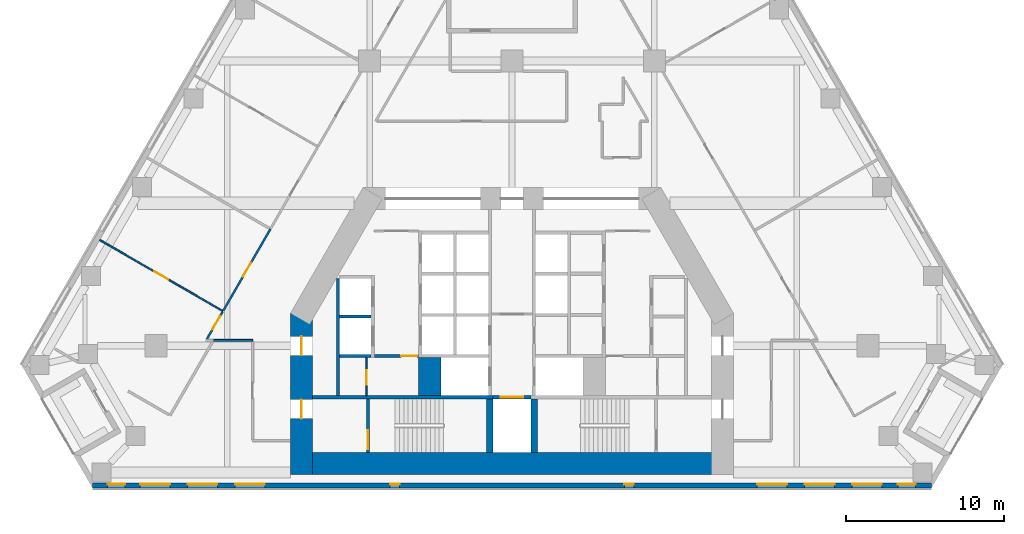
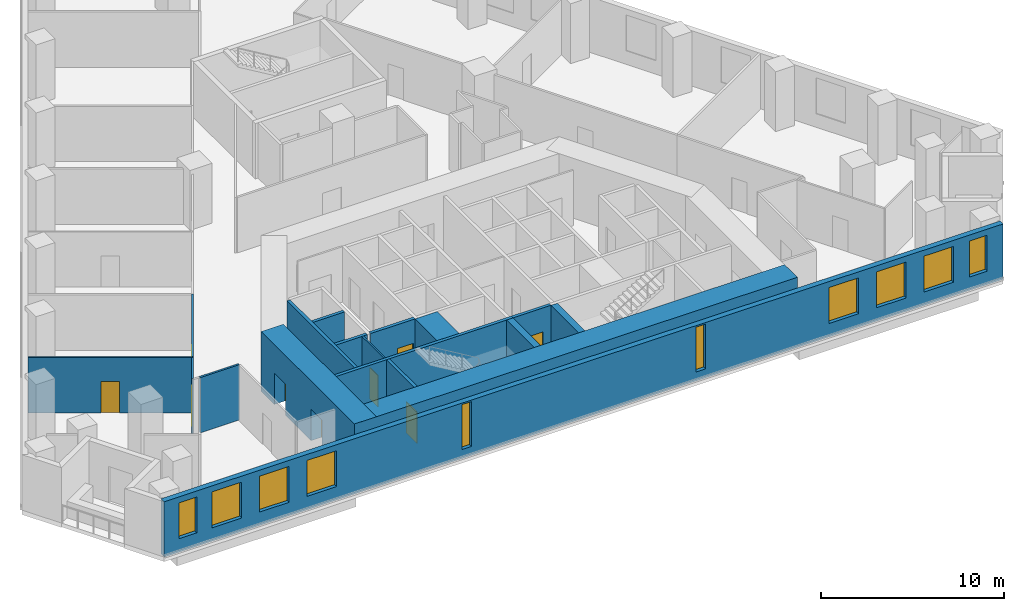
# One storey, part 3 of 9: 18 walls, 10 windows, 9 doors, 19 openings.
"""IFC4 building model written with IfcOpenShell, lengths in metres."""

from ifc_helpers import new_model, si_unit, direction, frame, frame_2d, origin, place, context, subcontext, project, spatial, rectangle, extrude, material, layer, layer_set, type_object, element, fill, save


model = new_model("IFC4")

# Units and contexts
model_context = context("Model", 3, precision=1e-05, world=origin(), true_north=direction((0.0, 1.0)))
body_context = subcontext(model_context, "Body", "Model", "MODEL_VIEW")
ifc_project = project(units=[si_unit("LENGTHUNIT", "METRE"), si_unit("AREAUNIT", "SQUARE_METRE"), si_unit("VOLUMEUNIT", "CUBIC_METRE"), si_unit("PLANEANGLEUNIT", "RADIAN"), si_unit("MASSUNIT", "GRAM", prefix="KILO")], contexts=[model_context])

# Site, building, storey
site_placement = place(None, origin())
site = spatial("IfcSite", under=ifc_project, at=site_placement, CompositionType="ELEMENT")
building_placement = place(site_placement, origin())
building = spatial("IfcBuilding", under=site, at=building_placement, Name="Fogline Exchange Tower", CompositionType="ELEMENT")
storey_placement = place(building_placement, frame((0.0, 0.0, 84.89990234375)))
storey = spatial("IfcBuildingStorey", under=building, at=storey_placement, Name="L18", CompositionType="ELEMENT", Elevation=84.89990234375)

# Wall, opening, door
ifc_material_1 = material(Name="Blockwork partition", Category="masonry")
ifc_layer_1 = layer(ifc_material_1, 0.10009765625)
ifc_layer_set_1 = layer_set([ifc_layer_1], Name="CW10")
wall_type_1 = type_object("IfcWallType", Name="CW10", PredefinedType="PARTITIONING", material=ifc_layer_set_1)
wall_1_placement = place(storey_placement, frame((-9.199951171875, 5.85009765625, 0.0), z_axis=(0.0, 0.0, 1.0), x_axis=(0.0, 1.0, 0.0)))
wall_1 = element("IfcWall", 1, at=wall_1_placement, inside=storey, type_object=wall_type_1, Name="WC partition", PredefinedType="PARTITIONING", context=body_context, shape_type="SweptSolid", body=[
    extrude(rectangle(XDim=2.39990234375, YDim=0.10009765625, at=frame_2d((1.199951171875, 0.0))), origin(), (0.0, 0.0, 1.0), 3.7001953125),
])
opening_1_placement = place(wall_1_placement, frame((0.699951171875, 0.0, 0.0)))
opening_1 = element("IfcOpeningElement", 2, at=opening_1_placement, cuts=wall_1, Name="Opening T05-C009", PredefinedType="OPENING", context=body_context, shape_type="SweptSolid", body=[
    extrude(rectangle(XDim=0.89990234375, YDim=2.10009765625, at=frame_2d((0.449951171875, 1.050048828125))), frame((0.0, 0.06005859375, 0.0), z_axis=(0.0, -1.0, 0.0), x_axis=(1.0, 0.0, 0.0)), (0.0, 0.0, 1.0), 0.1201171875),
])
ifc_material_2 = material(Name="Steel and timber fire door", Category="steel")
door_type_1 = type_object("IfcDoorType", Name="D-CS1", OperationType="SINGLE_SWING_RIGHT", PredefinedType="DOOR", material=ifc_material_2)
door_1_placement = place(opening_1_placement, origin())
door_1 = element("IfcDoor", 3, at=door_1_placement, inside=storey, type_object=door_type_1, Name="Door to Cleaner's Store", OperationType="SINGLE_SWING_LEFT", OverallHeight=2.10009765625, OverallWidth=0.89990234375, PredefinedType="DOOR", context=body_context, shape_type="SweptSolid", body=[
    extrude(rectangle(XDim=0.89990234375, YDim=2.10009765625, at=frame_2d((0.449951171875, 1.050048828125))), frame((0.0, 0.02490234375, 0.0), z_axis=(0.0, -1.0, 0.0), x_axis=(1.0, 0.0, 0.0)), (0.0, 0.0, 1.0), 0.050048828125),
])
fill(opening_1, door_1)

# Walls
ifc_material_3 = material(Name="Concrete C60", Category="concrete")
ifc_layer_2 = layer(ifc_material_3, 1.39990234375)
ifc_layer_set_2 = layer_set([ifc_layer_2], Name="CW140")
wall_type_2 = type_object("IfcWallType", Name="CW140", PredefinedType="SOLIDWALL", material=ifc_layer_set_2)
wall_2_placement = place(storey_placement, frame((-5.199951171875, 5.85009765625, -0.2998046875), z_axis=(0.0, 0.0, 1.0), x_axis=(0.0, 1.0, 0.0)))
element("IfcWall", 4, at=wall_2_placement, inside=storey, type_object=wall_type_2, Name="Lift shaft block wall", PredefinedType="SOLIDWALL", context=body_context, shape_type="SweptSolid", body=[
    extrude(rectangle(XDim=2.39990234375, YDim=1.39990234375, at=frame_2d((1.199951171875, 0.0))), origin(), (0.0, 0.0, 1.0), 4.0),
])
ifc_material_4 = material(Name="Concrete C40", Category="concrete")
ifc_layer_3 = layer(ifc_material_4, 0.199951171875)
ifc_layer_set_3 = layer_set([ifc_layer_3], Name="CW20")
wall_type_3 = type_object("IfcWallType", Name="CW20", PredefinedType="SOLIDWALL", material=ifc_layer_set_3)
wall_3_placement = place(storey_placement, frame((-11.0, 5.85009765625, 0.0), z_axis=(0.0, 0.0, 1.0), x_axis=(0.0, 1.0, 0.0)))
element("IfcWall", 5, at=wall_3_placement, inside=storey, type_object=wall_type_3, Name="Service room wall", PredefinedType="SOLIDWALL", context=body_context, shape_type="SweptSolid", body=[
    extrude(rectangle(XDim=7.39990234375, YDim=0.199951171875, at=frame_2d((3.699951171875, 0.0))), origin(), (0.0, 0.0, 1.0), 3.7001953125),
])

# Wall, opening, door
wall_4_placement = place(storey_placement, frame((-8.699951171875, 8.35009765625, 0.0), z_axis=(0.0, 0.0, 1.0), x_axis=(1.0, 0.0, 0.0)))
wall_4 = element("IfcWall", 6, at=wall_4_placement, inside=storey, type_object=wall_type_3, Name="WC wall", PredefinedType="SOLIDWALL", context=body_context, shape_type="SweptSolid", body=[
    extrude(rectangle(XDim=2.800048828125, YDim=0.199951171875, at=frame_2d((1.39990234375, 0.0))), origin(), (0.0, 0.0, 1.0), 3.7001953125),
])
opening_2_placement = place(wall_4_placement, frame((1.699951171875, 0.0, 0.0)))
opening_2 = element("IfcOpeningElement", 7, at=opening_2_placement, cuts=wall_4, Name="Opening T05-C008", PredefinedType="OPENING", context=body_context, shape_type="SweptSolid", body=[
    extrude(rectangle(XDim=1.0, YDim=2.10009765625, at=frame_2d((0.5, 1.050048828125))), frame((0.0, 0.10986328125, 0.0), z_axis=(0.0, -1.0, 0.0), x_axis=(1.0, 0.0, 0.0)), (0.0, 0.0, 1.0), 0.219970703125),
])
door_type_2 = type_object("IfcDoorType", Name="D-WC1", OperationType="SINGLE_SWING_LEFT", PredefinedType="DOOR", material=ifc_material_2)
door_2_placement = place(opening_2_placement, frame((1.0, 0.0, 0.0), z_axis=(0.0, 0.0, 1.0), x_axis=(-1.0, 0.0, 0.0)))
door_2 = element("IfcDoor", 8, at=door_2_placement, inside=storey, type_object=door_type_2, Name="Door to Men's WC", OperationType="SINGLE_SWING_LEFT", OverallHeight=2.10009765625, OverallWidth=1.0, PredefinedType="DOOR", context=body_context, shape_type="SweptSolid", body=[
    extrude(rectangle(XDim=1.0, YDim=2.10009765625, at=frame_2d((0.5, 1.050048828125))), frame((0.0, 0.02490234375, 0.0), z_axis=(0.0, -1.0, 0.0), x_axis=(1.0, 0.0, 0.0)), (0.0, 0.0, 1.0), 0.050048828125),
])
fill(opening_2, door_2)

# Wall
ifc_layer_4 = layer(ifc_material_4, 0.199951171875)
ifc_layer_set_4 = layer_set([ifc_layer_4], Name="CW20R")
wall_type_4 = type_object("IfcWallType", Name="CW20R", PredefinedType="SOLIDWALL", material=ifc_layer_set_4)
wall_5_placement = place(storey_placement, frame((-12.60009765625, 5.75, -0.2998046875), z_axis=(0.0, 0.0, 1.0), x_axis=(1.0, 0.0, 0.0)))
element("IfcWall", 9, at=wall_5_placement, inside=storey, type_object=wall_type_4, Name="Stair enclosure wall", PredefinedType="SOLIDWALL", context=body_context, shape_type="SweptSolid", body=[
    extrude(rectangle(XDim=11.400146484375, YDim=0.199951171875, at=frame_2d((5.7001953125, 0.0))), origin(), (0.0, 0.0, 1.0), 4.0),
])

# Wall, opening, door
wall_6_placement = place(storey_placement, frame((-1.199951171875, 5.75, -0.2998046875), z_axis=(0.0, 0.0, 1.0), x_axis=(1.0, 0.0, 0.0)))
wall_6 = element("IfcWall", 10, at=wall_6_placement, inside=storey, type_object=wall_type_4, Name="Stair enclosure wall", PredefinedType="SOLIDWALL", context=body_context, shape_type="SweptSolid", body=[
    extrude(rectangle(XDim=2.39990234375, YDim=0.199951171875, at=frame_2d((1.199951171875, 0.0))), origin(), (0.0, 0.0, 1.0), 4.0),
])
opening_3_placement = place(wall_6_placement, frame((0.5, 0.0, 0.300048828125)))
opening_3 = element("IfcOpeningElement", 11, at=opening_3_placement, cuts=wall_6, Name="Opening T05-LD09", PredefinedType="OPENING", context=body_context, shape_type="SweptSolid", body=[
    extrude(rectangle(XDim=1.39990234375, YDim=2.10009765625, at=frame_2d((0.699951171875, 1.050048828125))), frame((0.0, 0.10986328125, 0.0), z_axis=(0.0, -1.0, 0.0), x_axis=(1.0, 0.0, 0.0)), (0.0, 0.0, 1.0), 0.219970703125),
])
door_type_3 = type_object("IfcDoorType", Name="LD3", OperationType="SLIDING_TO_LEFT", PredefinedType="DOOR", material=ifc_material_2)
door_3_placement = place(opening_3_placement, origin())
door_3 = element("IfcDoor", 12, at=door_3_placement, inside=storey, type_object=door_type_3, Name="Landing door GL1", OperationType="SLIDING_TO_LEFT", OverallHeight=2.10009765625, OverallWidth=1.39990234375, PredefinedType="DOOR", context=body_context, shape_type="SweptSolid", body=[
    extrude(rectangle(XDim=1.39990234375, YDim=2.10009765625, at=frame_2d((0.699951171875, 1.050048828125))), frame((0.0, 0.02490234375, 0.0), z_axis=(0.0, -1.0, 0.0), x_axis=(1.0, 0.0, 0.0)), (0.0, 0.0, 1.0), 0.050048828125),
])
fill(opening_3, door_3)

wall_7_placement = place(storey_placement, frame((-9.10009765625, 2.25, -0.2998046875), z_axis=(0.0, 0.0, 1.0), x_axis=(0.0, 1.0, 0.0)))
wall_7 = element("IfcWall", 13, at=wall_7_placement, inside=storey, type_object=wall_type_4, Name="Stair enclosure wall", PredefinedType="SOLIDWALL", context=body_context, shape_type="SweptSolid", body=[
    extrude(rectangle(XDim=3.39990234375, YDim=0.199951171875, at=frame_2d((1.699951171875, 0.0))), origin(), (0.0, 0.0, 1.0), 4.0),
])
opening_4_placement = place(wall_7_placement, frame((0.199951171875, 0.0, 0.300048828125)))
opening_4 = element("IfcOpeningElement", 14, at=opening_4_placement, cuts=wall_7, Name="Opening T05-C011", PredefinedType="OPENING", context=body_context, shape_type="SweptSolid", body=[
    extrude(rectangle(XDim=1.199951171875, YDim=2.10009765625, at=frame_2d((0.60009765625, 1.050048828125))), frame((0.0, 0.10986328125, 0.0), z_axis=(0.0, -1.0, 0.0), x_axis=(1.0, 0.0, 0.0)), (0.0, 0.0, 1.0), 0.219970703125),
])
door_type_4 = type_object("IfcDoorType", Name="D-ST1", OperationType="SINGLE_SWING_LEFT", PredefinedType="DOOR", material=ifc_material_2)
door_4_placement = place(opening_4_placement, frame((1.199951171875, 0.0, 0.0), z_axis=(0.0, 0.0, 1.0), x_axis=(-1.0, 0.0, 0.0)))
door_4 = element("IfcDoor", 15, at=door_4_placement, inside=storey, type_object=door_type_4, Name="Stair door ST1", OperationType="SINGLE_SWING_RIGHT", OverallHeight=2.10009765625, OverallWidth=1.199951171875, PredefinedType="DOOR", context=body_context, shape_type="SweptSolid", body=[
    extrude(rectangle(XDim=1.199951171875, YDim=2.10009765625, at=frame_2d((0.60009765625, 1.050048828125))), frame((0.0, 0.02490234375, 0.0), z_axis=(0.0, -1.0, 0.0), x_axis=(1.0, 0.0, 0.0)), (0.0, 0.0, 1.0), 0.050048828125),
])
fill(opening_4, door_4)

# Walls
ifc_layer_5 = layer(ifc_material_4, 0.199951171875)
ifc_layer_set_5 = layer_set([ifc_layer_5], Name="CW20S")
wall_type_5 = type_object("IfcWallType", Name="CW20S", PredefinedType="SOLIDWALL", material=ifc_layer_set_5)
for number, where, z_axis, x_axis, name in (
    (16, (-10.89990234375, 8.35009765625, -0.2998046875), (0.0, 0.0, 1.0), (1.0, 0.0, 0.0), "Lift shaft wall"),
    (17, (-10.89990234375, 10.85009765625, -0.2998046875), (0.0, 0.0, 1.0), (1.0, 0.0, 0.0), "Lift shaft wall"),
):
    element("IfcWall", number, at=place(storey_placement, frame(where, z_axis=z_axis, x_axis=x_axis)), inside=storey, type_object=wall_type_5, Name=name, PredefinedType="SOLIDWALL", context=body_context, shape_type="SweptSolid", body=[
        extrude(rectangle(XDim=2.0, YDim=0.199951171875, at=frame_2d((1.0, 0.0))), origin(), (0.0, 0.0, 1.0), 4.0),
    ])
ifc_layer_6 = layer(ifc_material_4, 0.39990234375)
ifc_layer_set_6 = layer_set([ifc_layer_6], Name="CW40R")
wall_type_6 = type_object("IfcWallType", Name="CW40R", PredefinedType="SOLIDWALL", material=ifc_layer_set_6)
for number, where, z_axis, x_axis, name in (
    (18, (-1.39990234375, 2.25, -0.2998046875), (0.0, 0.0, 1.0), (0.0, 1.0, 0.0), "Stair and lift shaft wall"),
    (19, (1.39990234375, 2.25, -0.2998046875), (0.0, 0.0, 1.0), (0.0, 1.0, 0.0), "Stair and lift shaft wall"),
):
    element("IfcWall", number, at=place(storey_placement, frame(where, z_axis=z_axis, x_axis=x_axis)), inside=storey, type_object=wall_type_6, Name=name, PredefinedType="SOLIDWALL", context=body_context, shape_type="SweptSolid", body=[
        extrude(rectangle(XDim=3.39990234375, YDim=0.39990234375, at=frame_2d((1.699951171875, 0.0))), origin(), (0.0, 0.0, 1.0), 4.0),
    ])

# Wall, openings, windows
ifc_material_5 = material(Name="Brick masonry", Category="masonry")
ifc_layer_7 = layer(ifc_material_5, 0.340087890625)
ifc_layer_set_7 = layer_set([ifc_layer_7], Name="FW1")
wall_type_7 = type_object("IfcWallType", Name="FW1", PredefinedType="SOLIDWALL", material=ifc_layer_set_7)
wall_8_placement = place(storey_placement, frame((-26.510498046875, 0.169921875, 0.0), z_axis=(0.0, 0.0, 1.0), x_axis=(1.0, 0.0, 0.0)))
wall_8 = element("IfcWall", 20, at=wall_8_placement, inside=storey, type_object=wall_type_7, Name="Brick wall L18 S", PredefinedType="SOLIDWALL", context=body_context, shape_type="SweptSolid", body=[
    extrude(rectangle(XDim=53.02099609375, YDim=0.340087890625, at=frame_2d((26.510498046875, 0.0))), origin(), (0.0, 0.0, 1.0), 3.7001953125),
])
opening_5_placement = place(wall_8_placement, frame((3.010498046875, 0.0, 0.89990234375)))
opening_5 = element("IfcOpeningElement", 21, at=opening_5_placement, cuts=wall_8, Name="Opening W1", PredefinedType="OPENING", context=body_context, shape_type="SweptSolid", body=[
    extrude(rectangle(XDim=1.885009765625, YDim=2.39990234375, at=frame_2d((0.9423828125, 1.199951171875))), frame((0.0, 0.18017578125, 0.0), z_axis=(0.0, -1.0, 0.0), x_axis=(1.0, 0.0, 0.0)), (0.0, 0.0, 1.0), 0.360107421875),
])
opening_6_placement = place(wall_8_placement, frame((6.010498046875, 0.0, 0.89990234375)))
opening_6 = element("IfcOpeningElement", 22, at=opening_6_placement, cuts=wall_8, Name="Opening W1", PredefinedType="OPENING", context=body_context, shape_type="SweptSolid", body=[
    extrude(rectangle(XDim=1.885009765625, YDim=2.39990234375, at=frame_2d((0.9423828125, 1.199951171875))), frame((0.0, 0.18017578125, 0.0), z_axis=(0.0, -1.0, 0.0), x_axis=(1.0, 0.0, 0.0)), (0.0, 0.0, 1.0), 0.360107421875),
])
opening_7_placement = place(wall_8_placement, frame((9.010498046875, 0.0, 0.89990234375)))
opening_7 = element("IfcOpeningElement", 23, at=opening_7_placement, cuts=wall_8, Name="Opening W1", PredefinedType="OPENING", context=body_context, shape_type="SweptSolid", body=[
    extrude(rectangle(XDim=1.885009765625, YDim=2.39990234375, at=frame_2d((0.9423828125, 1.199951171875))), frame((0.0, 0.18017578125, 0.0), z_axis=(0.0, -1.0, 0.0), x_axis=(1.0, 0.0, 0.0)), (0.0, 0.0, 1.0), 0.360107421875),
])
opening_8_placement = place(wall_8_placement, frame((42.010498046875, 0.0, 0.89990234375)))
opening_8 = element("IfcOpeningElement", 24, at=opening_8_placement, cuts=wall_8, Name="Opening W1", PredefinedType="OPENING", context=body_context, shape_type="SweptSolid", body=[
    extrude(rectangle(XDim=1.885009765625, YDim=2.39990234375, at=frame_2d((0.9423828125, 1.199951171875))), frame((0.0, 0.18017578125, 0.0), z_axis=(0.0, -1.0, 0.0), x_axis=(1.0, 0.0, 0.0)), (0.0, 0.0, 1.0), 0.360107421875),
])
opening_9_placement = place(wall_8_placement, frame((45.010498046875, 0.0, 0.89990234375)))
opening_9 = element("IfcOpeningElement", 25, at=opening_9_placement, cuts=wall_8, Name="Opening W1", PredefinedType="OPENING", context=body_context, shape_type="SweptSolid", body=[
    extrude(rectangle(XDim=1.885009765625, YDim=2.39990234375, at=frame_2d((0.9423828125, 1.199951171875))), frame((0.0, 0.18017578125, 0.0), z_axis=(0.0, -1.0, 0.0), x_axis=(1.0, 0.0, 0.0)), (0.0, 0.0, 1.0), 0.360107421875),
])
opening_10_placement = place(wall_8_placement, frame((48.010498046875, 0.0, 0.89990234375)))
opening_10 = element("IfcOpeningElement", 26, at=opening_10_placement, cuts=wall_8, Name="Opening W1", PredefinedType="OPENING", context=body_context, shape_type="SweptSolid", body=[
    extrude(rectangle(XDim=1.885009765625, YDim=2.39990234375, at=frame_2d((0.9423828125, 1.199951171875))), frame((0.0, 0.18017578125, 0.0), z_axis=(0.0, -1.0, 0.0), x_axis=(1.0, 0.0, 0.0)), (0.0, 0.0, 1.0), 0.360107421875),
])
opening_11_placement = place(wall_8_placement, frame((0.94775390625, 0.0, 0.89990234375)))
opening_11 = element("IfcOpeningElement", 27, at=opening_11_placement, cuts=wall_8, Name="Opening W4", PredefinedType="OPENING", context=body_context, shape_type="SweptSolid", body=[
    extrude(rectangle(XDim=1.114990234375, YDim=2.39990234375, at=frame_2d((0.5576171875, 1.199951171875))), frame((0.0, 0.18017578125, 0.0), z_axis=(0.0, -1.0, 0.0), x_axis=(1.0, 0.0, 0.0)), (0.0, 0.0, 1.0), 0.360107421875),
])
opening_12_placement = place(wall_8_placement, frame((50.900634765625, 0.0, 0.89990234375)))
opening_12 = element("IfcOpeningElement", 28, at=opening_12_placement, cuts=wall_8, Name="Opening W4", PredefinedType="OPENING", context=body_context, shape_type="SweptSolid", body=[
    extrude(rectangle(XDim=1.114990234375, YDim=2.39990234375, at=frame_2d((0.5576171875, 1.199951171875))), frame((0.0, 0.18017578125, 0.0), z_axis=(0.0, -1.0, 0.0), x_axis=(1.0, 0.0, 0.0)), (0.0, 0.0, 1.0), 0.360107421875),
])
opening_13_placement = place(wall_8_placement, frame((18.810546875, 0.0, 0.60009765625)))
opening_13 = element("IfcOpeningElement", 29, at=opening_13_placement, cuts=wall_8, Name="Opening W5", PredefinedType="OPENING", context=body_context, shape_type="SweptSolid", body=[
    extrude(rectangle(XDim=0.60009765625, YDim=3.0, at=frame_2d((0.300048828125, 1.5))), frame((0.0, 0.18017578125, 0.0), z_axis=(0.0, -1.0, 0.0), x_axis=(1.0, 0.0, 0.0)), (0.0, 0.0, 1.0), 0.360107421875),
])
opening_14_placement = place(wall_8_placement, frame((33.6103515625, 0.0, 0.60009765625)))
opening_14 = element("IfcOpeningElement", 30, at=opening_14_placement, cuts=wall_8, Name="Opening W5", PredefinedType="OPENING", context=body_context, shape_type="SweptSolid", body=[
    extrude(rectangle(XDim=0.60009765625, YDim=3.0, at=frame_2d((0.300048828125, 1.5))), frame((0.0, 0.18017578125, 0.0), z_axis=(0.0, -1.0, 0.0), x_axis=(1.0, 0.0, 0.0)), (0.0, 0.0, 1.0), 0.360107421875),
])
ifc_material_6 = material(Name="Aluminium and glass", Category="aluminium")
window_type_1 = type_object("IfcWindowType", Name="W1", PartitioningType="SINGLE_PANEL", PredefinedType="WINDOW", material=ifc_material_6)
window_1_placement = place(opening_5_placement, origin())
window_1 = element("IfcWindow", 31, at=window_1_placement, inside=storey, type_object=window_type_1, Name="W1 W1", OverallHeight=2.39990234375, OverallWidth=1.885009765625, PartitioningType="SINGLE_PANEL", PredefinedType="WINDOW", context=body_context, shape_type="SweptSolid", body=[
    extrude(rectangle(XDim=1.885009765625, YDim=2.39990234375, at=frame_2d((0.9423828125, 1.199951171875))), frame((0.0, 0.110107421875, 0.0), z_axis=(0.0, -1.0, 0.0), x_axis=(1.0, 0.0, 0.0)), (0.0, 0.0, 1.0), 0.06005859375),
])
fill(opening_5, window_1)
window_2_placement = place(opening_6_placement, origin())
window_2 = element("IfcWindow", 32, at=window_2_placement, inside=storey, type_object=window_type_1, Name="W1 W1", OverallHeight=2.39990234375, OverallWidth=1.885009765625, PartitioningType="SINGLE_PANEL", PredefinedType="WINDOW", context=body_context, shape_type="SweptSolid", body=[
    extrude(rectangle(XDim=1.885009765625, YDim=2.39990234375, at=frame_2d((0.9423828125, 1.199951171875))), frame((0.0, 0.110107421875, 0.0), z_axis=(0.0, -1.0, 0.0), x_axis=(1.0, 0.0, 0.0)), (0.0, 0.0, 1.0), 0.06005859375),
])
fill(opening_6, window_2)
window_3_placement = place(opening_7_placement, origin())
window_3 = element("IfcWindow", 33, at=window_3_placement, inside=storey, type_object=window_type_1, Name="W1 W1", OverallHeight=2.39990234375, OverallWidth=1.885009765625, PartitioningType="SINGLE_PANEL", PredefinedType="WINDOW", context=body_context, shape_type="SweptSolid", body=[
    extrude(rectangle(XDim=1.885009765625, YDim=2.39990234375, at=frame_2d((0.9423828125, 1.199951171875))), frame((0.0, 0.110107421875, 0.0), z_axis=(0.0, -1.0, 0.0), x_axis=(1.0, 0.0, 0.0)), (0.0, 0.0, 1.0), 0.06005859375),
])
fill(opening_7, window_3)
window_4_placement = place(opening_8_placement, origin())
window_4 = element("IfcWindow", 34, at=window_4_placement, inside=storey, type_object=window_type_1, Name="W1 W1", OverallHeight=2.39990234375, OverallWidth=1.885009765625, PartitioningType="SINGLE_PANEL", PredefinedType="WINDOW", context=body_context, shape_type="SweptSolid", body=[
    extrude(rectangle(XDim=1.885009765625, YDim=2.39990234375, at=frame_2d((0.9423828125, 1.199951171875))), frame((0.0, 0.110107421875, 0.0), z_axis=(0.0, -1.0, 0.0), x_axis=(1.0, 0.0, 0.0)), (0.0, 0.0, 1.0), 0.06005859375),
])
fill(opening_8, window_4)
window_5_placement = place(opening_9_placement, origin())
window_5 = element("IfcWindow", 35, at=window_5_placement, inside=storey, type_object=window_type_1, Name="W1 W1", OverallHeight=2.39990234375, OverallWidth=1.885009765625, PartitioningType="SINGLE_PANEL", PredefinedType="WINDOW", context=body_context, shape_type="SweptSolid", body=[
    extrude(rectangle(XDim=1.885009765625, YDim=2.39990234375, at=frame_2d((0.9423828125, 1.199951171875))), frame((0.0, 0.110107421875, 0.0), z_axis=(0.0, -1.0, 0.0), x_axis=(1.0, 0.0, 0.0)), (0.0, 0.0, 1.0), 0.06005859375),
])
fill(opening_9, window_5)
window_6_placement = place(opening_10_placement, origin())
window_6 = element("IfcWindow", 36, at=window_6_placement, inside=storey, type_object=window_type_1, Name="W1 W1", OverallHeight=2.39990234375, OverallWidth=1.885009765625, PartitioningType="SINGLE_PANEL", PredefinedType="WINDOW", context=body_context, shape_type="SweptSolid", body=[
    extrude(rectangle(XDim=1.885009765625, YDim=2.39990234375, at=frame_2d((0.9423828125, 1.199951171875))), frame((0.0, 0.110107421875, 0.0), z_axis=(0.0, -1.0, 0.0), x_axis=(1.0, 0.0, 0.0)), (0.0, 0.0, 1.0), 0.06005859375),
])
fill(opening_10, window_6)
window_type_2 = type_object("IfcWindowType", Name="W4", PartitioningType="SINGLE_PANEL", PredefinedType="WINDOW", material=ifc_material_6)
window_7_placement = place(opening_11_placement, origin())
window_7 = element("IfcWindow", 37, at=window_7_placement, inside=storey, type_object=window_type_2, Name="W4 W4", OverallHeight=2.39990234375, OverallWidth=1.114990234375, PartitioningType="SINGLE_PANEL", PredefinedType="WINDOW", context=body_context, shape_type="SweptSolid", body=[
    extrude(rectangle(XDim=1.114990234375, YDim=2.39990234375, at=frame_2d((0.5576171875, 1.199951171875))), frame((0.0, 0.110107421875, 0.0), z_axis=(0.0, -1.0, 0.0), x_axis=(1.0, 0.0, 0.0)), (0.0, 0.0, 1.0), 0.06005859375),
])
fill(opening_11, window_7)
window_8_placement = place(opening_12_placement, origin())
window_8 = element("IfcWindow", 38, at=window_8_placement, inside=storey, type_object=window_type_2, Name="W4 W4", OverallHeight=2.39990234375, OverallWidth=1.114990234375, PartitioningType="SINGLE_PANEL", PredefinedType="WINDOW", context=body_context, shape_type="SweptSolid", body=[
    extrude(rectangle(XDim=1.114990234375, YDim=2.39990234375, at=frame_2d((0.5576171875, 1.199951171875))), frame((0.0, 0.110107421875, 0.0), z_axis=(0.0, -1.0, 0.0), x_axis=(1.0, 0.0, 0.0)), (0.0, 0.0, 1.0), 0.06005859375),
])
fill(opening_12, window_8)
window_type_3 = type_object("IfcWindowType", Name="W5", PartitioningType="SINGLE_PANEL", PredefinedType="WINDOW", material=ifc_material_6)
window_9_placement = place(opening_13_placement, origin())
window_9 = element("IfcWindow", 39, at=window_9_placement, inside=storey, type_object=window_type_3, Name="W5 W5", OverallHeight=3.0, OverallWidth=0.60009765625, PartitioningType="SINGLE_PANEL", PredefinedType="WINDOW", context=body_context, shape_type="SweptSolid", body=[
    extrude(rectangle(XDim=0.60009765625, YDim=3.0, at=frame_2d((0.300048828125, 1.5))), frame((0.0, 0.110107421875, 0.0), z_axis=(0.0, -1.0, 0.0), x_axis=(1.0, 0.0, 0.0)), (0.0, 0.0, 1.0), 0.06005859375),
])
fill(opening_13, window_9)
window_10_placement = place(opening_14_placement, origin())
window_10 = element("IfcWindow", 40, at=window_10_placement, inside=storey, type_object=window_type_3, Name="W5 W5", OverallHeight=3.0, OverallWidth=0.60009765625, PartitioningType="SINGLE_PANEL", PredefinedType="WINDOW", context=body_context, shape_type="SweptSolid", body=[
    extrude(rectangle(XDim=0.60009765625, YDim=3.0, at=frame_2d((0.300048828125, 1.5))), frame((0.0, 0.110107421875, 0.0), z_axis=(0.0, -1.0, 0.0), x_axis=(1.0, 0.0, 0.0)), (0.0, 0.0, 1.0), 0.06005859375),
])
fill(opening_14, window_10)

# Wall, opening, door
ifc_material_7 = material(Name="Plasterboard partition, 2 layers each side on steel studs", Category="steel")
ifc_layer_8 = layer(ifc_material_7, 0.10009765625)
ifc_layer_set_8 = layer_set([ifc_layer_8], Name="PW1")
wall_type_8 = type_object("IfcWallType", Name="PW1", PredefinedType="PARTITIONING", material=ifc_layer_set_8)
wall_9_placement = place(storey_placement, frame((-18.265380859375, 11.189208984375, 0.0), z_axis=(0.0, 0.0, 1.0), x_axis=(-0.866024315419, 0.5000018851, 0.0)))
wall_9 = element("IfcWall", 41, at=wall_9_placement, inside=storey, type_object=wall_type_8, Name="wall-L18-W046", PredefinedType="PARTITIONING", context=body_context, shape_type="SweptSolid", body=[
    extrude(rectangle(XDim=9.0, YDim=0.10009765625, at=frame_2d((4.5, 0.0))), origin(), (0.0, 0.0, 1.0), 3.7001953125),
])
opening_15_placement = place(wall_9_placement, frame((4.0, 0.0, 0.0)))
opening_15 = element("IfcOpeningElement", 42, at=opening_15_placement, cuts=wall_9, Name="Opening T05-D018", PredefinedType="OPENING", context=body_context, shape_type="SweptSolid", body=[
    extrude(rectangle(XDim=1.0, YDim=2.10009765625, at=frame_2d((0.5, 1.050048828125))), frame((0.0, 0.06005859375, 0.0), z_axis=(0.0, -1.0, 0.0), x_axis=(1.0, 0.0, 0.0)), (0.0, 0.0, 1.0), 0.1201171875),
])
ifc_material_8 = material(Name="Timber door leaf with steel frame", Category="steel")
door_type_5 = type_object("IfcDoorType", Name="D1", OperationType="SINGLE_SWING_LEFT", PredefinedType="DOOR", material=ifc_material_8)
door_5_placement = place(opening_15_placement, frame((1.0, 0.0, 0.0), z_axis=(0.0, 0.0, 1.0), x_axis=(-1.0, 0.0, 0.0)))
door_5 = element("IfcDoor", 43, at=door_5_placement, inside=storey, type_object=door_type_5, Name="door-L18-D018", OperationType="SINGLE_SWING_RIGHT", OverallHeight=2.10009765625, OverallWidth=1.0, PredefinedType="DOOR", context=body_context, shape_type="SweptSolid", body=[
    extrude(rectangle(XDim=1.0, YDim=2.10009765625, at=frame_2d((0.5, 1.050048828125))), frame((0.0, 0.02490234375, 0.0), z_axis=(0.0, -1.0, 0.0), x_axis=(1.0, 0.0, 0.0)), (0.0, 0.0, 1.0), 0.050048828125),
])
fill(opening_15, door_5)

ifc_material_9 = material(Name="Plasterboard corridor partition with mineral wool, 2 layers each side")
ifc_layer_9 = layer(ifc_material_9, 0.125)
ifc_layer_set_9 = layer_set([ifc_layer_9], Name="PW2")
wall_type_9 = type_object("IfcWallType", Name="PW2", PredefinedType="PARTITIONING", material=ifc_layer_set_9)
wall_10_placement = place(storey_placement, frame((-18.239990234375, 11.23291015625, 0.0), z_axis=(0.0, 0.0, 1.0), x_axis=(0.499969918061, 0.866042770903, 0.0)))
wall_10 = element("IfcWall", 44, at=wall_10_placement, inside=storey, type_object=wall_type_9, Name="wall-L18-W015", PredefinedType="PARTITIONING", context=body_context, shape_type="SweptSolid", body=[
    extrude(rectangle(XDim=5.949462890625, YDim=0.125, at=frame_2d((2.974609375, 0.0))), origin(), (0.0, 0.0, 1.0), 3.7001953125),
])
opening_16_placement = place(wall_10_placement, frame((2.474609375, 0.0, 0.0)))
opening_16 = element("IfcOpeningElement", 45, at=opening_16_placement, cuts=wall_10, Name="Opening T05-D009", PredefinedType="OPENING", context=body_context, shape_type="SweptSolid", body=[
    extrude(rectangle(XDim=1.0, YDim=2.10009765625, at=frame_2d((0.5, 1.050048828125))), frame((0.0, 0.072509765625, 0.0), z_axis=(0.0, -1.0, 0.0), x_axis=(1.0, 0.0, 0.0)), (0.0, 0.0, 1.0), 0.14501953125),
])
ifc_material_10 = material(Name="Fire-rated timber door leaf with steel frame", Category="steel")
door_type_6 = type_object("IfcDoorType", Name="D3", OperationType="SINGLE_SWING_LEFT", PredefinedType="DOOR", material=ifc_material_10)
door_6_placement = place(opening_16_placement, origin())
door_6 = element("IfcDoor", 46, at=door_6_placement, inside=storey, type_object=door_type_6, Name="door-L18-D009", OperationType="SINGLE_SWING_LEFT", OverallHeight=2.10009765625, OverallWidth=1.0, PredefinedType="DOOR", context=body_context, shape_type="SweptSolid", body=[
    extrude(rectangle(XDim=1.0, YDim=2.10009765625, at=frame_2d((0.5, 1.050048828125))), frame((0.0, 0.02490234375, 0.0), z_axis=(0.0, -1.0, 0.0), x_axis=(1.0, 0.0, 0.0)), (0.0, 0.0, 1.0), 0.050048828125),
])
fill(opening_16, door_6)

wall_11_placement = place(storey_placement, frame((-19.27880859375, 9.43408203125, 0.0), z_axis=(0.0, 0.0, 1.0), x_axis=(0.499979116088, 0.866037460781, 0.0)))
wall_11 = element("IfcWall", 47, at=wall_11_placement, inside=storey, type_object=wall_type_9, Name="wall-L18-W017", PredefinedType="PARTITIONING", context=body_context, shape_type="SweptSolid", body=[
    extrude(rectangle(XDim=1.97607421875, YDim=0.125, at=frame_2d((0.988037109375, 0.0))), origin(), (0.0, 0.0, 1.0), 3.7001953125),
])
opening_17_placement = place(wall_11_placement, frame((0.682861328125, 0.0, 0.0)))
opening_17 = element("IfcOpeningElement", 48, at=opening_17_placement, cuts=wall_11, Name="Opening T05-D010", PredefinedType="OPENING", context=body_context, shape_type="SweptSolid", body=[
    extrude(rectangle(XDim=1.0, YDim=2.10009765625, at=frame_2d((0.5, 1.050048828125))), frame((0.0, 0.072509765625, 0.0), z_axis=(0.0, -1.0, 0.0), x_axis=(1.0, 0.0, 0.0)), (0.0, 0.0, 1.0), 0.14501953125),
])
door_7_placement = place(opening_17_placement, origin())
door_7 = element("IfcDoor", 49, at=door_7_placement, inside=storey, type_object=door_type_6, Name="door-L18-D010", OperationType="SINGLE_SWING_RIGHT", OverallHeight=2.10009765625, OverallWidth=1.0, PredefinedType="DOOR", context=body_context, shape_type="SweptSolid", body=[
    extrude(rectangle(XDim=1.0, YDim=2.10009765625, at=frame_2d((0.5, 1.050048828125))), frame((0.0, 0.02490234375, 0.0), z_axis=(0.0, -1.0, 0.0), x_axis=(1.0, 0.0, 0.0)), (0.0, 0.0, 1.0), 0.050048828125),
])
fill(opening_17, door_7)

# Walls
wall_12_placement = place(storey_placement, frame((-16.39990234375, 9.340087890625, 0.0), z_axis=(0.0, 0.0, 1.0), x_axis=(-1.0, 0.0, 0.0)))
element("IfcWall", 50, at=wall_12_placement, inside=storey, type_object=wall_type_9, Name="wall-L18-W018", PredefinedType="PARTITIONING", context=body_context, shape_type="SweptSolid", body=[
    extrude(rectangle(XDim=2.47119140625, YDim=0.125, at=frame_2d((1.235595703125, 0.0))), origin(), (0.0, 0.0, 1.0), 3.7001953125),
])
ifc_layer_10 = layer(ifc_material_3, 1.39990234375)
ifc_layer_set_10 = layer_set([ifc_layer_10], Name="SW01")
wall_type_10 = type_object("IfcWallType", Name="SW01", PredefinedType="SHEAR", material=ifc_layer_set_10)
wall_13_placement = place(storey_placement, frame((-14.0, 1.550048828125, 0.0), z_axis=(0.0, 0.0, 1.0), x_axis=(1.0, 0.0, 0.0)))
element("IfcWall", 51, at=wall_13_placement, inside=storey, type_object=wall_type_10, Name="L18-W901", PredefinedType="SHEAR", context=body_context, shape_type="SweptSolid", body=[
    extrude(rectangle(XDim=28.0, YDim=1.39990234375, at=frame_2d((14.0, 0.0))), origin(), (0.0, 0.0, 1.0), 4.0),
])

# Wall, openings, doors
wall_14_placement = place(storey_placement, frame((-13.300048828125, 11.052490234375, 0.0), z_axis=(0.0, 0.0, 1.0), x_axis=(0.0, -1.0, 0.0)))
wall_14 = element("IfcWall", 52, at=wall_14_placement, inside=storey, type_object=wall_type_10, Name="L18-W906", PredefinedType="SHEAR", context=body_context, shape_type="SweptSolid", body=[
    extrude(rectangle(XDim=10.202392578125, YDim=1.39990234375, at=frame_2d((5.10107421875, 0.0))), origin(), (0.0, 0.0, 1.0), 4.0),
])
opening_18_placement = place(wall_14_placement, frame((5.45263671875, 0.0, 0.0)))
opening_18 = element("IfcOpeningElement", 53, at=opening_18_placement, cuts=wall_14, Name="Opening T05-C010", PredefinedType="OPENING", context=body_context, shape_type="SweptSolid", body=[
    extrude(rectangle(XDim=1.199951171875, YDim=2.10009765625, at=frame_2d((0.60009765625, 1.050048828125))), frame((0.0, 0.7099609375, 0.0), z_axis=(0.0, -1.0, 0.0), x_axis=(1.0, 0.0, 0.0)), (0.0, 0.0, 1.0), 1.419921875),
])
opening_19_placement = place(wall_14_placement, frame((1.45263671875, 0.0, 0.0)))
opening_19 = element("IfcOpeningElement", 54, at=opening_19_placement, cuts=wall_14, Name="Opening T05-C012", PredefinedType="OPENING", context=body_context, shape_type="SweptSolid", body=[
    extrude(rectangle(XDim=1.199951171875, YDim=2.10009765625, at=frame_2d((0.60009765625, 1.050048828125))), frame((0.0, 0.7099609375, 0.0), z_axis=(0.0, -1.0, 0.0), x_axis=(1.0, 0.0, 0.0)), (0.0, 0.0, 1.0), 1.419921875),
])
door_type_7 = type_object("IfcDoorType", Name="D-FR1", OperationType="SINGLE_SWING_RIGHT", PredefinedType="DOOR", material=ifc_material_2)
door_8_placement = place(opening_18_placement, origin())
door_8 = element("IfcDoor", 55, at=door_8_placement, inside=storey, type_object=door_type_7, Name="Front room door ST1", OperationType="SINGLE_SWING_LEFT", OverallHeight=2.10009765625, OverallWidth=1.199951171875, PredefinedType="DOOR", context=body_context, shape_type="SweptSolid", body=[
    extrude(rectangle(XDim=1.199951171875, YDim=2.10009765625, at=frame_2d((0.60009765625, 1.050048828125))), frame((0.0, 0.02490234375, 0.0), z_axis=(0.0, -1.0, 0.0), x_axis=(1.0, 0.0, 0.0)), (0.0, 0.0, 1.0), 0.050048828125),
])
fill(opening_18, door_8)
door_type_8 = type_object("IfcDoorType", Name="D-SV1", OperationType="SINGLE_SWING_LEFT", PredefinedType="DOOR", material=ifc_material_2)
door_9_placement = place(opening_19_placement, origin())
door_9 = element("IfcDoor", 56, at=door_9_placement, inside=storey, type_object=door_type_8, Name="Service door W", OperationType="SINGLE_SWING_LEFT", OverallHeight=2.10009765625, OverallWidth=1.199951171875, PredefinedType="DOOR", context=body_context, shape_type="SweptSolid", body=[
    extrude(rectangle(XDim=1.199951171875, YDim=2.10009765625, at=frame_2d((0.60009765625, 1.050048828125))), frame((0.0, 0.02490234375, 0.0), z_axis=(0.0, -1.0, 0.0), x_axis=(1.0, 0.0, 0.0)), (0.0, 0.0, 1.0), 0.050048828125),
])
fill(opening_19, door_9)

save(model, "model.ifc")
